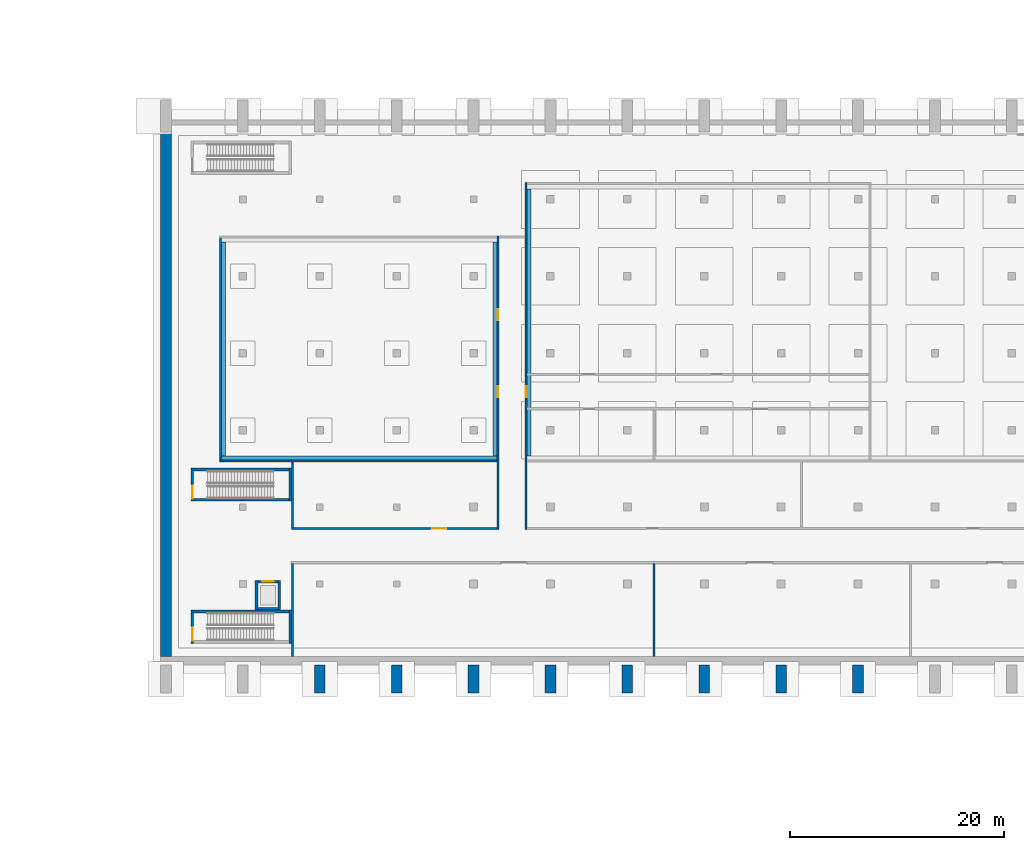
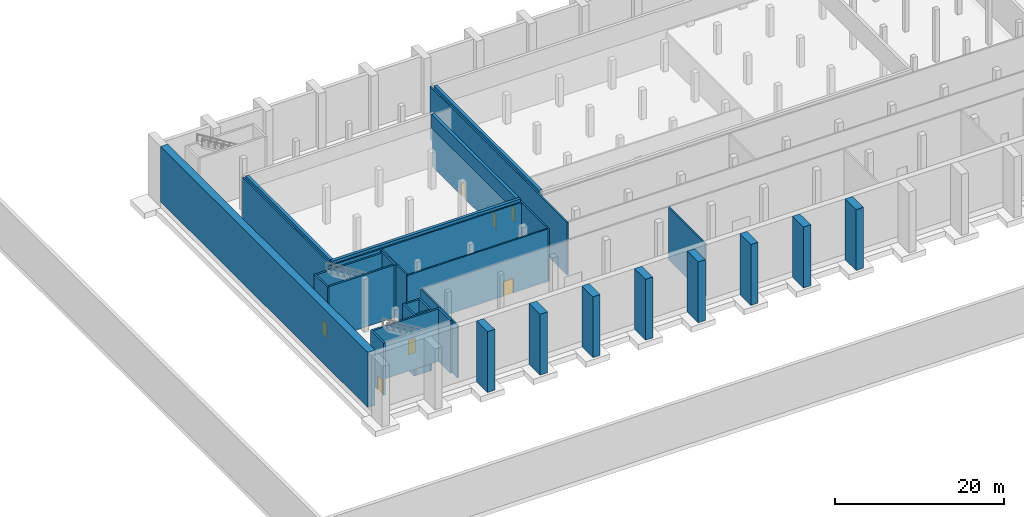
# One storey, part 4 of 14: 32 walls, 7 doors, 7 openings.
"""IFC4 building model written with IfcOpenShell, lengths in metres."""

import ifcopenshell
import ifcopenshell.guid

model = None  # the IFC model being written
_history = None  # IfcOwnerHistory: only IFC2X3 demands one
_inside = {}  # id of a spatial element -> (the spatial element, [elements in it])
_under = {}  # id of a project, library or spatial element -> (it, [spatial elements below it])
_declared = {}  # id of a project -> (the project, [libraries it declares])
_typed = {}  # id of a type object -> (the type object, [elements of that type])
_made_of = {}  # id of a material, layer set ... -> (it, [elements and type objects made of it])


def new_model(schema):
    """Start an empty IFC model of exactly this schema.

    Asked for "IFC4X3", IfcOpenShell would pick the latest addendum, in which some entities
    have other attributes; the version numbers below select the first issue.
    IFC2X3 requires an IfcOwnerHistory on every rooted entity: one is made here for all.
    """
    global model, _history
    if schema == "IFC4X3":
        model = ifcopenshell.file(schema_version=(4, 3, 0, 0))
    else:
        model = ifcopenshell.file(schema=schema)
    _inside.clear()
    _under.clear()
    _declared.clear()
    _typed.clear()
    _made_of.clear()
    _history = None
    if model.schema == "IFC2X3":
        org = make("IfcOrganization", Name="unknown")
        user = make(
            "IfcPersonAndOrganization",
            ThePerson=make("IfcPerson", FamilyName="unknown"),
            TheOrganization=org,
        )
        app = make(
            "IfcApplication",
            ApplicationDeveloper=org,
            Version="unknown",
            ApplicationFullName="unknown",
            ApplicationIdentifier="unknown",
        )
        _history = make(
            "IfcOwnerHistory",
            OwningUser=user,
            OwningApplication=app,
            ChangeAction="ADDED",
            CreationDate=0,
        )
    return model


def make(cls, **values):
    """One entity of the class cls with the attributes given. An attribute that is None is left unset."""
    return model.create_entity(
        cls, **{name: value for name, value in values.items() if value is not None}
    )


def rooted(cls, **values):
    """An entity with a GlobalId (a new one), such as an element, a storey or a relation."""
    return make(cls, GlobalId=ifcopenshell.guid.new(), OwnerHistory=_history, **values)


def si_unit(unit_type, name, prefix=None):
    """IfcSIUnit, for example si_unit("LENGTHUNIT", "METRE", prefix="MILLI")."""
    return make("IfcSIUnit", UnitType=unit_type, Prefix=prefix, Name=name)


def assignment(units):
    """IfcUnitAssignment: the units of a project."""
    return None if units is None else make("IfcUnitAssignment", Units=units)


def point(xyz):
    """IfcCartesianPoint."""
    return None if xyz is None else make("IfcCartesianPoint", Coordinates=xyz)


def direction(xyz):
    """IfcDirection."""
    return None if xyz is None else make("IfcDirection", DirectionRatios=xyz)


def frame(location, z_axis=None, x_axis=None):
    """IfcAxis2Placement3D, a coordinate frame: its origin and axes. An axis left out is left unset."""
    return make(
        "IfcAxis2Placement3D",
        Location=point(location),
        Axis=direction(z_axis),
        RefDirection=direction(x_axis),
    )


def frame_2d(location, x_axis=None):
    """IfcAxis2Placement2D, a coordinate frame in the plane: its origin and x axis."""
    return make(
        "IfcAxis2Placement2D", Location=point(location), RefDirection=direction(x_axis)
    )


def origin():
    """The frame at (0, 0, 0) with its axes left unset."""
    return frame((0.0, 0.0, 0.0))


def place(relative_to, where):
    """IfcLocalPlacement: puts the frame where relative to a parent placement (None: the world)."""
    return make(
        "IfcLocalPlacement", PlacementRelTo=relative_to, RelativePlacement=where
    )


def context(
    kind, dimensions, precision=None, world=None, true_north=None, identifier=None
):
    """IfcGeometricRepresentationContext, for example the 3D "Model" context."""
    return make(
        "IfcGeometricRepresentationContext",
        ContextIdentifier=identifier,
        ContextType=kind,
        CoordinateSpaceDimension=dimensions,
        Precision=precision,
        WorldCoordinateSystem=world,
        TrueNorth=true_north,
    )


def subcontext(parent, identifier, kind, view, scale=None):
    """IfcGeometricRepresentationSubContext, for example "Body" below "Model"."""
    return make(
        "IfcGeometricRepresentationSubContext",
        ContextIdentifier=identifier,
        ContextType=kind,
        ParentContext=parent,
        TargetScale=scale,
        TargetView=view,
    )


def project(units=None, contexts=None):
    """IfcProject with its units and contexts."""
    return rooted(
        "IfcProject",
        Name="project",
        RepresentationContexts=contexts,
        UnitsInContext=assignment(units),
    )


def spatial(cls, under=None, at=None, **own):
    """A site, building, storey or space (cls), placed at a placement, below another one or the project."""
    s = rooted(cls, ObjectPlacement=at, **own)
    if under is not None:
        _under.setdefault(under.id(), (under, []))[1].append(s)
    return s


def profile(cls, at=None, kind="AREA", **sizes):
    """A parametric profile (cls). Its sizes go by their IFC names, for example OverallWidth=200.0."""
    return make(cls, ProfileType=kind, Position=at, **sizes)


def rectangle(**sizes):
    """IfcRectangleProfileDef."""
    return profile("IfcRectangleProfileDef", **sizes)


def extrude(swept, where, along, depth):
    """IfcExtrudedAreaSolid: the profile swept, set in the frame where, extruded along a direction by depth."""
    return make(
        "IfcExtrudedAreaSolid",
        SweptArea=swept,
        Position=where,
        ExtrudedDirection=direction(along),
        Depth=depth,
    )


def shape(context_of_items, identifier, shape_type, items):
    """IfcShapeRepresentation: the items that make up one representation, for example the "Body"."""
    return make(
        "IfcShapeRepresentation",
        ContextOfItems=context_of_items,
        RepresentationIdentifier=identifier,
        RepresentationType=shape_type,
        Items=items,
    )


def material(Name=None, Category=None):
    """IfcMaterial."""
    return make("IfcMaterial", Name=Name, Category=Category)


def layer(
    of_material, thickness, ventilated=None, Name=None, Category=None, Priority=None
):
    """IfcMaterialLayer: one layer of a wall or slab, of a material (None: an air gap)."""
    return make(
        "IfcMaterialLayer",
        Material=of_material,
        LayerThickness=thickness,
        IsVentilated=ventilated,
        Name=Name,
        Category=Category,
        Priority=Priority,
    )


def layer_set(layers, Name=None):
    """IfcMaterialLayerSet."""
    return make("IfcMaterialLayerSet", MaterialLayers=layers, LayerSetName=Name)


def made_of(thing, what):
    """Note that an element or type object is made of a material, layer set ...; save() writes the relation."""
    if what is not None:
        _made_of.setdefault(what.id(), (what, []))[1].append(thing)
    return thing


def type_object(cls, material=None, **own):
    """A type object (cls), such as IfcWallType, which elements share."""
    return made_of(rooted(cls, **own), material)


def element(
    cls,
    number,
    at=None,
    inside=None,
    cuts=None,
    type_object=None,
    material=None,
    context=None,
    identifier="Body",
    shape_type=None,
    held_by="IfcProductDefinitionShape",
    body=None,
    shapes=None,
    **own,
):
    """One element of the class cls, such as IfcWall. Its Tag is "e" and its number.

    at: its placement. inside: the storey or other place that contains it. cuts: it is an
    opening in that element (IfcRelVoidsElement). A single representation is given by context,
    identifier, shape_type and body (its items); several are given by shapes. held_by: the class
    of the entity that holds the representations. save() writes the other relations.
    """
    e = rooted(cls, Tag="e%d" % number, ObjectPlacement=at, **own)
    if body is not None:
        shapes = [shape(context, identifier, shape_type, body)]
    if shapes is not None:
        e.Representation = make(held_by, Representations=shapes)
    if inside is not None:
        _inside.setdefault(inside.id(), (inside, []))[1].append(e)
    if cuts is not None:
        rooted(
            "IfcRelVoidsElement", RelatingBuildingElement=cuts, RelatedOpeningElement=e
        )
    if type_object is not None:
        _typed.setdefault(type_object.id(), (type_object, []))[1].append(e)
    return made_of(e, material)


def fill(opening, filler):
    """IfcRelFillsElement: the door or window that sits in an opening."""
    return rooted(
        "IfcRelFillsElement",
        RelatingOpeningElement=opening,
        RelatedBuildingElement=filler,
    )


def aggregate(whole, parts):
    """IfcRelAggregates: a whole, such as a stair, and the parts it consists of."""
    return rooted("IfcRelAggregates", RelatingObject=whole, RelatedObjects=parts)


def save(model, path):
    """Write the relations noted so far, then the file.

    IfcRelAggregates (storeys below a building ...), IfcRelContainedInSpatialStructure (elements
    in a storey), IfcRelDefinesByType, IfcRelAssociatesMaterial and IfcRelDeclares: one each for
    every whole, place, type object, material and project.
    """
    for whole, parts in _under.values():
        aggregate(whole, parts)
    for where, things in _inside.values():
        rooted(
            "IfcRelContainedInSpatialStructure",
            RelatedElements=things,
            RelatingStructure=where,
        )
    for kind, things in _typed.values():
        rooted("IfcRelDefinesByType", RelatedObjects=things, RelatingType=kind)
    for what, things in _made_of.values():
        rooted("IfcRelAssociatesMaterial", RelatedObjects=things, RelatingMaterial=what)
    for by, libraries in _declared.values():
        rooted("IfcRelDeclares", RelatingContext=by, RelatedDefinitions=libraries)
    model.write(path)


model = new_model("IFC4")

# Units and contexts
model_context = context("Model", 3, precision=1e-05, world=origin(), true_north=direction((0.0, 1.0)))
body_context = subcontext(model_context, "Body", "Model", "MODEL_VIEW")
ifc_project = project(units=[si_unit("LENGTHUNIT", "METRE"), si_unit("AREAUNIT", "SQUARE_METRE"), si_unit("VOLUMEUNIT", "CUBIC_METRE"), si_unit("PLANEANGLEUNIT", "RADIAN"), si_unit("MASSUNIT", "GRAM", prefix="KILO")], contexts=[model_context])

# Site, building, storey
site_placement = place(None, origin())
site = spatial("IfcSite", under=ifc_project, at=site_placement, CompositionType="ELEMENT")
building_placement = place(site_placement, origin())
building = spatial("IfcBuilding", under=site, at=building_placement, Name="Vermilion Court Aquatics Centre", CompositionType="ELEMENT")
storey_placement = place(building_placement, frame((0.0, 0.0, -8.0)))
storey = spatial("IfcBuildingStorey", under=building, at=storey_placement, Name="B1", CompositionType="ELEMENT", Elevation=-8.0)

# Walls
ifc_material_1 = material(Name="Concrete 5000 psi", Category="concrete")
ifc_layer_1 = layer(ifc_material_1, 1.0)
ifc_layer_set_1 = layer_set([ifc_layer_1], Name="Hall basement wall 1000")
wall_type_1 = type_object("IfcWallType", Name="Hall basement wall 1000", PredefinedType="SOLIDWALL", material=ifc_layer_set_1)
wall_1_placement = place(storey_placement, frame((14.39990234375, 14.800048828125, 0.0), z_axis=(0.0, 0.0, 1.0), x_axis=(0.0, 1.0, 0.0)))
element("IfcWall", 1, at=wall_1_placement, inside=storey, type_object=wall_type_1, Name="Basement gable wall", PredefinedType="SOLIDWALL", context=body_context, shape_type="SweptSolid", body=[
    extrude(rectangle(XDim=49.099853515625, YDim=1.0, at=frame_2d((24.5498046875, 0.0))), origin(), (0.0, 0.0, 1.0), 8.0),
])
for number, where, z_axis, x_axis, name in (
    (2, (28.800048828125, 11.39990234375, -0.800048828125), (0.0, 0.0, 1.0), (0.0, 1.0, 0.0), "Buttress pier base"),
    (3, (36.0, 11.39990234375, -0.800048828125), (0.0, 0.0, 1.0), (0.0, 1.0, 0.0), "Buttress pier base"),
    (4, (43.199951171875, 11.39990234375, -0.800048828125), (0.0, 0.0, 1.0), (0.0, 1.0, 0.0), "Buttress pier base"),
    (5, (50.39990234375, 11.39990234375, -0.800048828125), (0.0, 0.0, 1.0), (0.0, 1.0, 0.0), "Buttress pier base"),
    (6, (57.60009765625, 11.39990234375, -0.800048828125), (0.0, 0.0, 1.0), (0.0, 1.0, 0.0), "Buttress pier base"),
    (7, (64.800048828125, 11.39990234375, -0.800048828125), (0.0, 0.0, 1.0), (0.0, 1.0, 0.0), "Buttress pier base"),
    (8, (72.0, 11.39990234375, -0.800048828125), (0.0, 0.0, 1.0), (0.0, 1.0, 0.0), "Buttress pier base"),
    (9, (79.199951171875, 11.39990234375, -0.800048828125), (0.0, 0.0, 1.0), (0.0, 1.0, 0.0), "Buttress pier base"),
):
    element("IfcWall", number, at=place(storey_placement, frame(where, z_axis=z_axis, x_axis=x_axis)), inside=storey, type_object=wall_type_1, Name=name, PredefinedType="SOLIDWALL", context=body_context, shape_type="SweptSolid", body=[
        extrude(rectangle(XDim=2.60009765625, YDim=1.0, at=frame_2d((1.300048828125, 0.0))), origin(), (0.0, 0.0, 1.0), 8.800048828125),
    ])
ifc_material_2 = material(Name="Concrete 5000 psi", Category="concrete")
ifc_layer_2 = layer(ifc_material_2, 0.25)
ifc_layer_set_2 = layer_set([ifc_layer_2], Name="Hall lift shaft wall 250")
wall_type_2 = type_object("IfcWallType", Name="Hall lift shaft wall 250", PredefinedType="SOLIDWALL", material=ifc_layer_set_2)
for number, where, z_axis, x_axis, name in (
    (10, (22.875, 19.14990234375, -1.199951171875), (0.0, 0.0, 1.0), (0.0, 1.0, 0.0), "Plant lift shaft wall"),
    (11, (25.02490234375, 19.14990234375, -1.199951171875), (0.0, 0.0, 1.0), (0.0, 1.0, 0.0), "Plant lift shaft wall"),
):
    element("IfcWall", number, at=place(storey_placement, frame(where, z_axis=z_axis, x_axis=x_axis)), inside=storey, type_object=wall_type_2, Name=name, PredefinedType="SOLIDWALL", context=body_context, shape_type="SweptSolid", body=[
        extrude(rectangle(XDim=2.800048828125, YDim=0.25, at=frame_2d((1.39990234375, 0.0))), origin(), (0.0, 0.0, 1.0), 8.794921875),
    ])
wall_2_placement = place(storey_placement, frame((23.0, 19.27490234375, -1.199951171875), z_axis=(0.0, 0.0, 1.0), x_axis=(1.0, 0.0, 0.0)))
element("IfcWall", 12, at=wall_2_placement, inside=storey, type_object=wall_type_2, Name="Plant lift shaft wall", PredefinedType="SOLIDWALL", context=body_context, shape_type="SweptSolid", body=[
    extrude(rectangle(XDim=1.89990234375, YDim=0.25, at=frame_2d((0.949951171875, 0.0))), origin(), (0.0, 0.0, 1.0), 8.794921875),
])

# Wall, opening, door
wall_3_placement = place(storey_placement, frame((23.0, 21.824951171875, -1.199951171875), z_axis=(0.0, 0.0, 1.0), x_axis=(1.0, 0.0, 0.0)))
wall_3 = element("IfcWall", 13, at=wall_3_placement, inside=storey, type_object=wall_type_2, Name="Plant lift shaft wall", PredefinedType="SOLIDWALL", context=body_context, shape_type="SweptSolid", body=[
    extrude(rectangle(XDim=1.89990234375, YDim=0.25, at=frame_2d((0.949951171875, 0.0))), origin(), (0.0, 0.0, 1.0), 8.794921875),
])
opening_1_placement = place(wall_3_placement, frame((0.425048828125, 0.0, 1.199951171875)))
opening_1 = element("IfcOpeningElement", 14, at=opening_1_placement, cuts=wall_3, Name="Opening LDPL1-B1", PredefinedType="OPENING", context=body_context, shape_type="SweptSolid", body=[
    extrude(rectangle(XDim=1.050048828125, YDim=2.10009765625, at=frame_2d((0.52490234375, 1.050048828125))), frame((0.0, 0.135009765625, 0.0), z_axis=(0.0, -1.0, 0.0), x_axis=(1.0, 0.0, 0.0)), (0.0, 0.0, 1.0), 0.27001953125),
])
ifc_material_3 = material(Name="Hollow metal")
door_type_1 = type_object("IfcDoorType", Name="Hall lift landing door 1050x2100", OperationType="DOUBLE_DOOR_SLIDING", PredefinedType="DOOR", material=ifc_material_3)
door_1_placement = place(opening_1_placement, origin())
door_1 = element("IfcDoor", 15, at=door_1_placement, inside=storey, type_object=door_type_1, Name="Lift landing door PL1 B1", OperationType="DOUBLE_DOOR_SLIDING", OverallHeight=2.10009765625, OverallWidth=1.050048828125, PredefinedType="DOOR", context=body_context, shape_type="SweptSolid", body=[
    extrude(rectangle(XDim=1.050048828125, YDim=2.10009765625, at=frame_2d((0.52490234375, 1.050048828125))), frame((0.0, 0.02490234375, 0.0), z_axis=(0.0, -1.0, 0.0), x_axis=(1.0, 0.0, 0.0)), (0.0, 0.0, 1.0), 0.050048828125),
])
fill(opening_1, door_1)

# Walls
ifc_material_4 = material(Name="Concrete masonry ASTM C90 Type I", Category="masonry")
ifc_layer_3 = layer(ifc_material_4, 0.199951171875)
ifc_layer_set_3 = layer_set([ifc_layer_3], Name="Hall plant partition 200")
wall_type_3 = type_object("IfcWallType", Name="Hall plant partition 200", PredefinedType="PARTITIONING", material=ifc_layer_set_3)
for number, where, z_axis, x_axis, name in (
    (16, (26.25, 14.800048828125, 0.0), (0.0, 0.0, 1.0), (0.0, 1.0, 0.0), "Plant partition"),
    (17, (60.10009765625, 14.800048828125, 0.0), (0.0, 0.0, 1.0), (0.0, 1.0, 0.0), "Plant partition"),
):
    element("IfcWall", number, at=place(storey_placement, frame(where, z_axis=z_axis, x_axis=x_axis)), inside=storey, type_object=wall_type_3, Name=name, PredefinedType="PARTITIONING", context=body_context, shape_type="SweptSolid", body=[
        extrude(rectangle(XDim=8.699951171875, YDim=0.199951171875, at=frame_2d((4.35009765625, 0.0))), origin(), (0.0, 0.0, 1.0), 7.594970703125),
    ])

# Wall, opening, door
wall_4_placement = place(storey_placement, frame((26.14990234375, 26.800048828125, 0.0), z_axis=(0.0, 0.0, 1.0), x_axis=(1.0, 0.0, 0.0)))
wall_4 = element("IfcWall", 18, at=wall_4_placement, inside=storey, type_object=wall_type_3, Name="Plant partition", PredefinedType="PARTITIONING", context=body_context, shape_type="SweptSolid", body=[
    extrude(rectangle(XDim=19.25, YDim=0.199951171875, at=frame_2d((9.625, 0.0))), origin(), (0.0, 0.0, 1.0), 7.594970703125),
])
opening_2_placement = place(wall_4_placement, frame((13.199951171875, 0.0, 0.0)))
opening_2 = element("IfcOpeningElement", 19, at=opening_2_placement, cuts=wall_4, Name="Opening HB1-006", PredefinedType="OPENING", context=body_context, shape_type="SweptSolid", body=[
    extrude(rectangle(XDim=1.300048828125, YDim=2.10009765625, at=frame_2d((0.64990234375, 1.050048828125))), frame((0.0, 0.10986328125, 0.0), z_axis=(0.0, -1.0, 0.0), x_axis=(1.0, 0.0, 0.0)), (0.0, 0.0, 1.0), 0.219970703125),
])
ifc_material_5 = material(Name="Hollow metal")
door_type_2 = type_object("IfcDoorType", Name="Hall control room door 1300x2100", OperationType="DOUBLE_DOOR_SINGLE_SWING", PredefinedType="DOOR", material=ifc_material_5)
door_2_placement = place(opening_2_placement, origin())
door_2 = element("IfcDoor", 20, at=door_2_placement, inside=storey, type_object=door_type_2, Name="Door Plant Control Room", OperationType="DOUBLE_DOOR_SINGLE_SWING", OverallHeight=2.10009765625, OverallWidth=1.300048828125, PredefinedType="DOOR", context=body_context, shape_type="SweptSolid", body=[
    extrude(rectangle(XDim=1.300048828125, YDim=2.10009765625, at=frame_2d((0.64990234375, 1.050048828125))), frame((0.0, 0.02490234375, 0.0), z_axis=(0.0, -1.0, 0.0), x_axis=(1.0, 0.0, 0.0)), (0.0, 0.0, 1.0), 0.050048828125),
])
fill(opening_2, door_2)

# Walls
wall_5_placement = place(storey_placement, frame((26.25, 26.89990234375, 0.0), z_axis=(0.0, 0.0, 1.0), x_axis=(0.0, 1.0, 0.0)))
element("IfcWall", 21, at=wall_5_placement, inside=storey, type_object=wall_type_3, Name="Plant partition", PredefinedType="PARTITIONING", context=body_context, shape_type="SweptSolid", body=[
    extrude(rectangle(XDim=6.10009765625, YDim=0.199951171875, at=frame_2d((3.050048828125, 0.0))), origin(), (0.0, 0.0, 1.0), 7.594970703125),
])
wall_6_placement = place(storey_placement, frame((19.39990234375, 33.10009765625, 0.0), z_axis=(0.0, 0.0, 1.0), x_axis=(1.0, 0.0, 0.0)))
element("IfcWall", 22, at=wall_6_placement, inside=storey, type_object=wall_type_3, Name="Plant partition", PredefinedType="PARTITIONING", context=body_context, shape_type="SweptSolid", body=[
    extrude(rectangle(XDim=26.0, YDim=0.199951171875, at=frame_2d((13.0, 0.0))), origin(), (0.0, 0.0, 1.0), 7.594970703125),
])
wall_7_placement = place(storey_placement, frame((19.5, 33.199951171875, 0.0), z_axis=(0.0, 0.0, 1.0), x_axis=(0.0, 1.0, 0.0)))
element("IfcWall", 23, at=wall_7_placement, inside=storey, type_object=wall_type_3, Name="Plant partition", PredefinedType="PARTITIONING", context=body_context, shape_type="SweptSolid", body=[
    extrude(rectangle(XDim=20.800048828125, YDim=0.199951171875, at=frame_2d((10.39990234375, 0.0))), origin(), (0.0, 0.0, 1.0), 7.594970703125),
])

# Wall, openings, doors
wall_8_placement = place(storey_placement, frame((45.5, 26.699951171875, 0.0), z_axis=(0.0, 0.0, 1.0), x_axis=(0.0, 1.0, 0.0)))
wall_8 = element("IfcWall", 24, at=wall_8_placement, inside=storey, type_object=wall_type_3, Name="Plant partition", PredefinedType="PARTITIONING", context=body_context, shape_type="SweptSolid", body=[
    extrude(rectangle(XDim=27.5, YDim=0.199951171875, at=frame_2d((13.75, 0.0))), origin(), (0.0, 0.0, 1.0), 7.594970703125),
])
opening_3_placement = place(wall_8_placement, frame((12.39990234375, 0.0, 0.0)))
opening_3 = element("IfcOpeningElement", 25, at=opening_3_placement, cuts=wall_8, Name="Opening HB1-009", PredefinedType="OPENING", context=body_context, shape_type="SweptSolid", body=[
    extrude(rectangle(XDim=1.0, YDim=2.10009765625, at=frame_2d((0.5, 1.050048828125))), frame((0.0, 0.10986328125, 0.0), z_axis=(0.0, -1.0, 0.0), x_axis=(1.0, 0.0, 0.0)), (0.0, 0.0, 1.0), 0.219970703125),
])
opening_4_placement = place(wall_8_placement, frame((19.60009765625, 0.0, 0.0)))
opening_4 = element("IfcOpeningElement", 26, at=opening_4_placement, cuts=wall_8, Name="Opening HB1-010", PredefinedType="OPENING", context=body_context, shape_type="SweptSolid", body=[
    extrude(rectangle(XDim=1.0, YDim=2.10009765625, at=frame_2d((0.5, 1.050048828125))), frame((0.0, 0.10986328125, 0.0), z_axis=(0.0, -1.0, 0.0), x_axis=(1.0, 0.0, 0.0)), (0.0, 0.0, 1.0), 0.219970703125),
])
ifc_material_6 = material(Name="Hollow metal")
door_type_3 = type_object("IfcDoorType", Name="Hall single door 1000x2100", OperationType="NOTDEFINED", PredefinedType="DOOR", material=ifc_material_6)
door_3_placement = place(opening_3_placement, origin())
door_3 = element("IfcDoor", 27, at=door_3_placement, inside=storey, type_object=door_type_3, Name="Door Balance Tank Room", OperationType="SINGLE_SWING_LEFT", OverallHeight=2.10009765625, OverallWidth=1.0, PredefinedType="DOOR", context=body_context, shape_type="SweptSolid", body=[
    extrude(rectangle(XDim=1.0, YDim=2.10009765625, at=frame_2d((0.5, 1.050048828125))), frame((0.0, 0.02490234375, 0.0), z_axis=(0.0, -1.0, 0.0), x_axis=(1.0, 0.0, 0.0)), (0.0, 0.0, 1.0), 0.050048828125),
])
fill(opening_3, door_3)
door_4_placement = place(opening_4_placement, origin())
door_4 = element("IfcDoor", 28, at=door_4_placement, inside=storey, type_object=door_type_3, Name="Door Balance Tank Room", OperationType="SINGLE_SWING_RIGHT", OverallHeight=2.10009765625, OverallWidth=1.0, PredefinedType="DOOR", context=body_context, shape_type="SweptSolid", body=[
    extrude(rectangle(XDim=1.0, YDim=2.10009765625, at=frame_2d((0.5, 1.050048828125))), frame((0.0, 0.02490234375, 0.0), z_axis=(0.0, -1.0, 0.0), x_axis=(1.0, 0.0, 0.0)), (0.0, 0.0, 1.0), 0.050048828125),
])
fill(opening_4, door_4)

# Wall, opening, door
wall_9_placement = place(storey_placement, frame((48.10009765625, 26.699951171875, 0.0), z_axis=(0.0, 0.0, 1.0), x_axis=(0.0, 1.0, 0.0)))
wall_9 = element("IfcWall", 29, at=wall_9_placement, inside=storey, type_object=wall_type_3, Name="Plant partition", PredefinedType="PARTITIONING", context=body_context, shape_type="SweptSolid", body=[
    extrude(rectangle(XDim=32.5, YDim=0.199951171875, at=frame_2d((16.25, 0.0))), origin(), (0.0, 0.0, 1.0), 7.594970703125),
])
opening_5_placement = place(wall_9_placement, frame((12.39990234375, 0.0, 0.0)))
opening_5 = element("IfcOpeningElement", 30, at=opening_5_placement, cuts=wall_9, Name="Opening HB1-011", PredefinedType="OPENING", context=body_context, shape_type="SweptSolid", body=[
    extrude(rectangle(XDim=1.0, YDim=2.10009765625, at=frame_2d((0.5, 1.050048828125))), frame((0.0, 0.10986328125, 0.0), z_axis=(0.0, -1.0, 0.0), x_axis=(1.0, 0.0, 0.0)), (0.0, 0.0, 1.0), 0.219970703125),
])
door_5_placement = place(opening_5_placement, origin())
door_5 = element("IfcDoor", 31, at=door_5_placement, inside=storey, type_object=door_type_3, Name="Door Service Corridor Pool Plant", OperationType="SINGLE_SWING_LEFT", OverallHeight=2.10009765625, OverallWidth=1.0, PredefinedType="DOOR", context=body_context, shape_type="SweptSolid", body=[
    extrude(rectangle(XDim=1.0, YDim=2.10009765625, at=frame_2d((0.5, 1.050048828125))), frame((0.0, 0.02490234375, 0.0), z_axis=(0.0, -1.0, 0.0), x_axis=(1.0, 0.0, 0.0)), (0.0, 0.0, 1.0), 0.050048828125),
])
fill(opening_5, door_5)

# Walls
ifc_material_7 = material(Name="Concrete 6000 psi", Category="concrete")
ifc_layer_4 = layer(ifc_material_7, 0.39990234375)
ifc_layer_set_4 = layer_set([ifc_layer_4], Name="Hall pool tank wall 400")
wall_type_4 = type_object("IfcWallType", Name="Hall pool tank wall 400", PredefinedType="SOLIDWALL", material=ifc_layer_set_4)
wall_10_placement = place(storey_placement, frame((19.60009765625, 33.39990234375, 6.0), z_axis=(0.0, 0.0, 1.0), x_axis=(1.0, 0.0, 0.0)))
element("IfcWall", 32, at=wall_10_placement, inside=storey, type_object=wall_type_4, Name="Training Pool tank wall", PredefinedType="SOLIDWALL", context=body_context, shape_type="SweptSolid", body=[
    extrude(rectangle(XDim=25.7998046875, YDim=0.39990234375, at=frame_2d((12.89990234375, 0.0))), origin(), (0.0, 0.0, 1.0), 2.0),
])
for number, where, z_axis, x_axis, name in (
    (33, (19.800048828125, 33.60009765625, 6.0), (0.0, 0.0, 1.0), (0.0, 1.0, 0.0), "Training Pool tank wall"),
    (34, (45.199951171875, 33.60009765625, 6.0), (0.0, 0.0, 1.0), (0.0, 1.0, 0.0), "Training Pool tank wall"),
):
    element("IfcWall", number, at=place(storey_placement, frame(where, z_axis=z_axis, x_axis=x_axis)), inside=storey, type_object=wall_type_4, Name=name, PredefinedType="SOLIDWALL", context=body_context, shape_type="SweptSolid", body=[
        extrude(rectangle(XDim=20.0, YDim=0.39990234375, at=frame_2d((10.0, 0.0))), origin(), (0.0, 0.0, 1.0), 2.0),
    ])
wall_11_placement = place(storey_placement, frame((48.39990234375, 33.60009765625, 5.0), z_axis=(0.0, 0.0, 1.0), x_axis=(0.0, 1.0, 0.0)))
element("IfcWall", 35, at=wall_11_placement, inside=storey, type_object=wall_type_4, Name="Competition Pool tank wall", PredefinedType="SOLIDWALL", context=body_context, shape_type="SweptSolid", body=[
    extrude(rectangle(XDim=25.0, YDim=0.39990234375, at=frame_2d((12.5, 0.0))), origin(), (0.0, 0.0, 1.0), 3.0),
])

# Wall, opening, door
ifc_material_8 = material(Name="Concrete 5000 psi", Category="concrete")
ifc_layer_5 = layer(ifc_material_8, 0.25)
ifc_layer_set_5 = layer_set([ifc_layer_5], Name="Hall stair enclosure wall 250")
wall_type_5 = type_object("IfcWallType", Name="Hall stair enclosure wall 250", PredefinedType="SOLIDWALL", material=ifc_layer_set_5)
wall_12_placement = place(storey_placement, frame((16.875, 16.050048828125, 0.0), z_axis=(0.0, 0.0, 1.0), x_axis=(0.0, 1.0, 0.0)))
wall_12 = element("IfcWall", 36, at=wall_12_placement, inside=storey, type_object=wall_type_5, Name="Exit stair 1 enclosure wall", PredefinedType="SOLIDWALL", context=body_context, shape_type="SweptSolid", body=[
    extrude(rectangle(XDim=3.099853515625, YDim=0.25, at=frame_2d((1.5498046875, 0.0))), origin(), (0.0, 0.0, 1.0), 7.594970703125),
])
opening_6_placement = place(wall_12_placement, frame((0.25, 0.0, 0.0)))
opening_6 = element("IfcOpeningElement", 37, at=opening_6_placement, cuts=wall_12, Name="Opening HB1-016", PredefinedType="OPENING", context=body_context, shape_type="SweptSolid", body=[
    extrude(rectangle(XDim=1.199951171875, YDim=2.10009765625, at=frame_2d((0.60009765625, 1.050048828125))), frame((0.0, 0.135009765625, 0.0), z_axis=(0.0, -1.0, 0.0), x_axis=(1.0, 0.0, 0.0)), (0.0, 0.0, 1.0), 0.27001953125),
])
ifc_material_9 = material(Name="Hollow metal")
door_type_4 = type_object("IfcDoorType", Name="Hall exit stair door 1200x2100", OperationType="NOTDEFINED", PredefinedType="DOOR", material=ifc_material_9)
door_6_placement = place(opening_6_placement, frame((1.199951171875, 0.0, 0.0), z_axis=(0.0, 0.0, 1.0), x_axis=(-1.0, 0.0, 0.0)))
door_6 = element("IfcDoor", 38, at=door_6_placement, inside=storey, type_object=door_type_4, Name="Door to exit stair 1", OperationType="SINGLE_SWING_RIGHT", OverallHeight=2.10009765625, OverallWidth=1.199951171875, PredefinedType="DOOR", context=body_context, shape_type="SweptSolid", body=[
    extrude(rectangle(XDim=1.199951171875, YDim=2.10009765625, at=frame_2d((0.599853515625, 1.050048828125))), frame((0.0, 0.025146484375, 0.0), z_axis=(0.0, -1.0, 0.0), x_axis=(1.0, 0.0, 0.0)), (0.0, 0.0, 1.0), 0.050048828125),
])
fill(opening_6, door_6)

# Walls
wall_13_placement = place(storey_placement, frame((26.02490234375, 16.050048828125, 0.0), z_axis=(0.0, 0.0, 1.0), x_axis=(0.0, 1.0, 0.0)))
element("IfcWall", 39, at=wall_13_placement, inside=storey, type_object=wall_type_5, Name="Exit stair 1 enclosure wall", PredefinedType="SOLIDWALL", context=body_context, shape_type="SweptSolid", body=[
    extrude(rectangle(XDim=3.099853515625, YDim=0.25, at=frame_2d((1.5498046875, 0.0))), origin(), (0.0, 0.0, 1.0), 7.594970703125),
])
wall_14_placement = place(storey_placement, frame((17.0, 19.02490234375, 0.0), z_axis=(0.0, 0.0, 1.0), x_axis=(1.0, 0.0, 0.0)))
element("IfcWall", 40, at=wall_14_placement, inside=storey, type_object=wall_type_5, Name="Exit stair 1 enclosure wall", PredefinedType="SOLIDWALL", context=body_context, shape_type="SweptSolid", body=[
    extrude(rectangle(XDim=8.89990234375, YDim=0.25, at=frame_2d((4.449951171875, 0.0))), origin(), (0.0, 0.0, 1.0), 7.594970703125),
])

# Wall, opening, door
wall_15_placement = place(storey_placement, frame((16.875, 29.35009765625, 0.0), z_axis=(0.0, 0.0, 1.0), x_axis=(0.0, 1.0, 0.0)))
wall_15 = element("IfcWall", 41, at=wall_15_placement, inside=storey, type_object=wall_type_5, Name="Exit stair 2 enclosure wall", PredefinedType="SOLIDWALL", context=body_context, shape_type="SweptSolid", body=[
    extrude(rectangle(XDim=3.099853515625, YDim=0.25, at=frame_2d((1.5498046875, 0.0))), origin(), (0.0, 0.0, 1.0), 7.594970703125),
])
opening_7_placement = place(wall_15_placement, frame((0.25, 0.0, 0.0)))
opening_7 = element("IfcOpeningElement", 42, at=opening_7_placement, cuts=wall_15, Name="Opening HB1-017", PredefinedType="OPENING", context=body_context, shape_type="SweptSolid", body=[
    extrude(rectangle(XDim=1.199951171875, YDim=2.10009765625, at=frame_2d((0.60009765625, 1.050048828125))), frame((0.0, 0.135009765625, 0.0), z_axis=(0.0, -1.0, 0.0), x_axis=(1.0, 0.0, 0.0)), (0.0, 0.0, 1.0), 0.27001953125),
])
door_7_placement = place(opening_7_placement, frame((1.199951171875, 0.0, 0.0), z_axis=(0.0, 0.0, 1.0), x_axis=(-1.0, 0.0, 0.0)))
door_7 = element("IfcDoor", 43, at=door_7_placement, inside=storey, type_object=door_type_4, Name="Door to exit stair 2", OperationType="SINGLE_SWING_RIGHT", OverallHeight=2.10009765625, OverallWidth=1.199951171875, PredefinedType="DOOR", context=body_context, shape_type="SweptSolid", body=[
    extrude(rectangle(XDim=1.199951171875, YDim=2.10009765625, at=frame_2d((0.599853515625, 1.050048828125))), frame((0.0, 0.025146484375, 0.0), z_axis=(0.0, -1.0, 0.0), x_axis=(1.0, 0.0, 0.0)), (0.0, 0.0, 1.0), 0.050048828125),
])
fill(opening_7, door_7)

# Walls
wall_16_placement = place(storey_placement, frame((26.02490234375, 29.35009765625, 0.0), z_axis=(0.0, 0.0, 1.0), x_axis=(0.0, 1.0, 0.0)))
element("IfcWall", 44, at=wall_16_placement, inside=storey, type_object=wall_type_5, Name="Exit stair 2 enclosure wall", PredefinedType="SOLIDWALL", context=body_context, shape_type="SweptSolid", body=[
    extrude(rectangle(XDim=3.099853515625, YDim=0.25, at=frame_2d((1.5498046875, 0.0))), origin(), (0.0, 0.0, 1.0), 7.594970703125),
])
for number, where, z_axis, x_axis, name in (
    (45, (17.0, 29.47509765625, 0.0), (0.0, 0.0, 1.0), (1.0, 0.0, 0.0), "Exit stair 2 enclosure wall"),
    (46, (17.0, 32.324951171875, 0.0), (0.0, 0.0, 1.0), (1.0, 0.0, 0.0), "Exit stair 2 enclosure wall"),
):
    element("IfcWall", number, at=place(storey_placement, frame(where, z_axis=z_axis, x_axis=x_axis)), inside=storey, type_object=wall_type_5, Name=name, PredefinedType="SOLIDWALL", context=body_context, shape_type="SweptSolid", body=[
        extrude(rectangle(XDim=8.89990234375, YDim=0.25, at=frame_2d((4.449951171875, 0.0))), origin(), (0.0, 0.0, 1.0), 7.594970703125),
    ])

save(model, "model.ifc")
